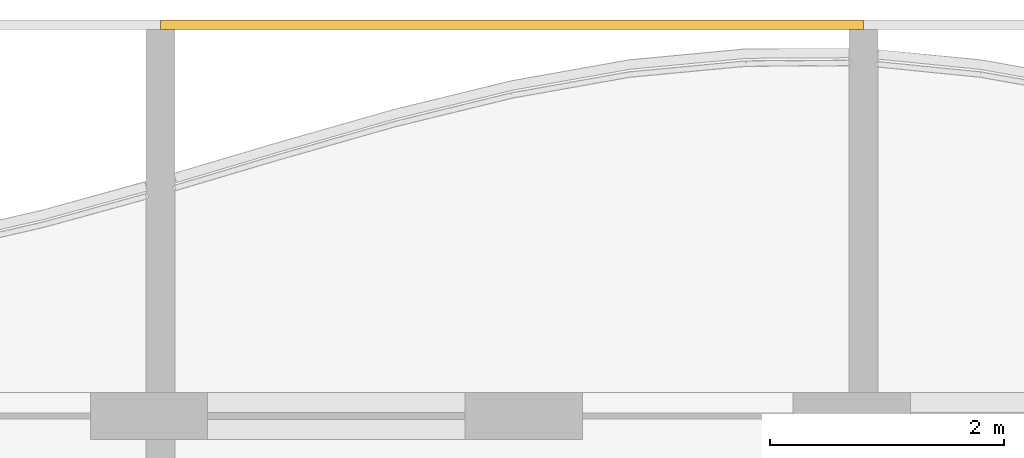
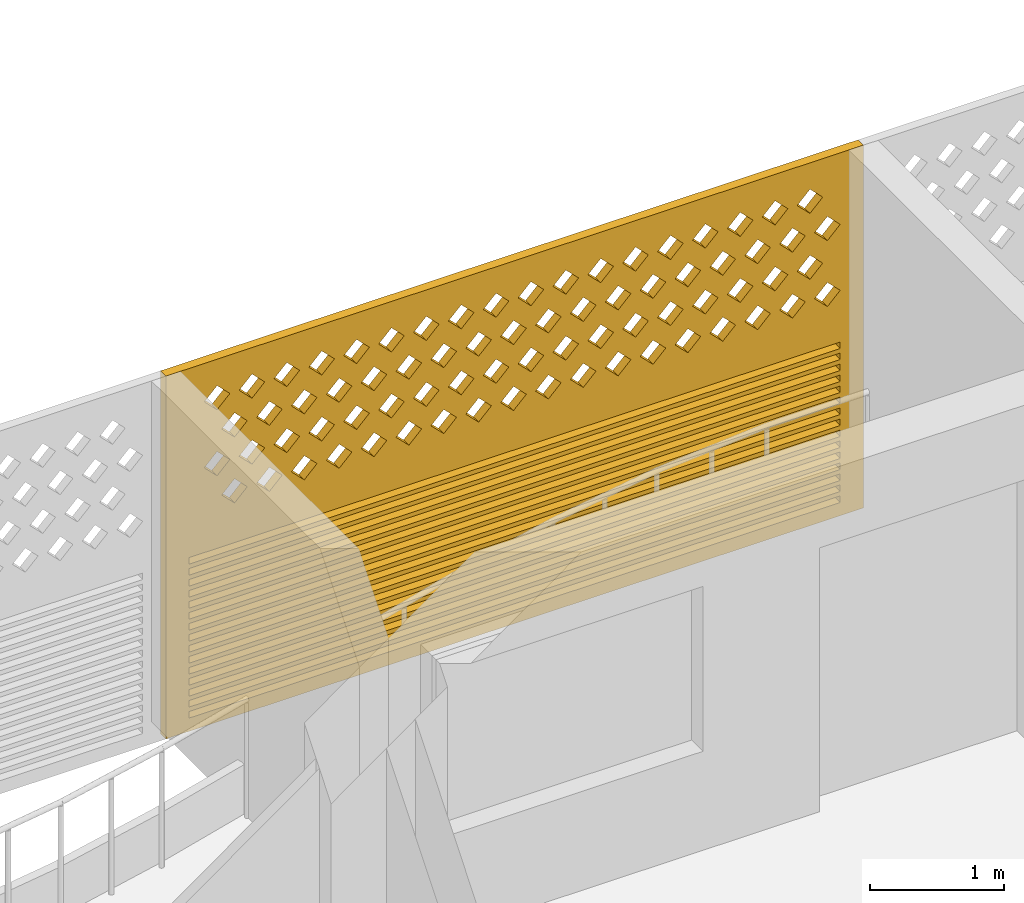
# One storey, part 27 of 29: 1 covering.
"""IFC4 building model written with IfcOpenShell, lengths in metres."""

from ifc_helpers import new_model, si_unit, direction, frame, origin, place, context, subcontext, project, spatial, polyline, outline, extrude, source, transform, mapped, material, material_profile, profile_set, type_object, element, save


model = new_model("IFC4")

# Units and contexts
model_context = context("Model", 3, precision=1e-05, world=origin(), true_north=direction((0.0, 1.0)))
body_context = subcontext(model_context, "Body", "Model", "MODEL_VIEW")
ifc_project = project(units=[si_unit("LENGTHUNIT", "METRE"), si_unit("AREAUNIT", "SQUARE_METRE"), si_unit("VOLUMEUNIT", "CUBIC_METRE"), si_unit("PLANEANGLEUNIT", "RADIAN"), si_unit("MASSUNIT", "GRAM", prefix="KILO")], contexts=[model_context])

# Site, building, storey
site_placement = place(None, origin())
site = spatial("IfcSite", under=ifc_project, at=site_placement, CompositionType="ELEMENT")
building_placement = place(site_placement, origin())
building = spatial("IfcBuilding", under=site, at=building_placement, Name="Poui Terraces", CompositionType="ELEMENT")
storey_placement = place(building_placement, frame((0.0, 0.0, 231.300048828125)))
storey = spatial("IfcBuildingStorey", under=building, at=storey_placement, Name="L64", CompositionType="ELEMENT", Elevation=231.300048828125)

# Covering
ifc_material = material(Name="Terracotta screen", Category="masonry")
ifc_material_profile = material_profile(ifc_material, outline(polyline([(-3.0, -1.64990234375), (3.0, -1.64990234375), (3.0, 1.64990234375), (-3.0, 1.64990234375), (-3.0, -1.64990234375)]), holes=[polyline([(-2.800048828125, 0.39990234375), (-2.68994140625, 0.2900390625), (-2.580078125, 0.39990234375), (-2.68994140625, 0.510009765625), (-2.800048828125, 0.39990234375)]), polyline([(-2.5, 0.39990234375), (-2.389892578125, 0.2900390625), (-2.280029296875, 0.39990234375), (-2.389892578125, 0.510009765625), (-2.5, 0.39990234375)]), polyline([(-2.199951171875, 0.39990234375), (-2.090087890625, 0.2900390625), (-1.97998046875, 0.39990234375), (-2.090087890625, 0.510009765625), (-2.199951171875, 0.39990234375)]), polyline([(-1.89990234375, 0.39990234375), (-1.7900390625, 0.2900390625), (-1.679931640625, 0.39990234375), (-1.7900390625, 0.510009765625), (-1.89990234375, 0.39990234375)]), polyline([(-1.60009765625, 0.39990234375), (-1.489990234375, 0.2900390625), (-1.3798828125, 0.39990234375), (-1.489990234375, 0.510009765625), (-1.60009765625, 0.39990234375)]), polyline([(-1.300048828125, 0.39990234375), (-1.18994140625, 0.2900390625), (-1.080078125, 0.39990234375), (-1.18994140625, 0.510009765625), (-1.300048828125, 0.39990234375)]), polyline([(-1.0, 0.39990234375), (-0.889892578125, 0.2900390625), (-0.780029296875, 0.39990234375), (-0.889892578125, 0.510009765625), (-1.0, 0.39990234375)]), polyline([(-0.699951171875, 0.39990234375), (-0.590087890625, 0.2900390625), (-0.47998046875, 0.39990234375), (-0.590087890625, 0.510009765625), (-0.699951171875, 0.39990234375)]), polyline([(-0.39990234375, 0.39990234375), (-0.2900390625, 0.2900390625), (-0.179931640625, 0.39990234375), (-0.2900390625, 0.510009765625), (-0.39990234375, 0.39990234375)]), polyline([(-0.10009765625, 0.39990234375), (0.010009765625, 0.2900390625), (0.1201171875, 0.39990234375), (0.010009765625, 0.510009765625), (-0.10009765625, 0.39990234375)]), polyline([(0.199951171875, 0.39990234375), (0.31005859375, 0.2900390625), (0.419921875, 0.39990234375), (0.31005859375, 0.510009765625), (0.199951171875, 0.39990234375)]), polyline([(0.5, 0.39990234375), (0.610107421875, 0.2900390625), (0.719970703125, 0.39990234375), (0.610107421875, 0.510009765625), (0.5, 0.39990234375)]), polyline([(0.800048828125, 0.39990234375), (0.909912109375, 0.2900390625), (1.02001953125, 0.39990234375), (0.909912109375, 0.510009765625), (0.800048828125, 0.39990234375)]), polyline([(1.10009765625, 0.39990234375), (1.2099609375, 0.2900390625), (1.320068359375, 0.39990234375), (1.2099609375, 0.510009765625), (1.10009765625, 0.39990234375)]), polyline([(1.39990234375, 0.39990234375), (1.510009765625, 0.2900390625), (1.6201171875, 0.39990234375), (1.510009765625, 0.510009765625), (1.39990234375, 0.39990234375)]), polyline([(1.699951171875, 0.39990234375), (1.81005859375, 0.2900390625), (1.919921875, 0.39990234375), (1.81005859375, 0.510009765625), (1.699951171875, 0.39990234375)]), polyline([(2.0, 0.39990234375), (2.110107421875, 0.2900390625), (2.219970703125, 0.39990234375), (2.110107421875, 0.510009765625), (2.0, 0.39990234375)]), polyline([(2.300048828125, 0.39990234375), (2.409912109375, 0.2900390625), (2.52001953125, 0.39990234375), (2.409912109375, 0.510009765625), (2.300048828125, 0.39990234375)]), polyline([(-2.64990234375, 0.699951171875), (-2.5400390625, 0.590087890625), (-2.429931640625, 0.699951171875), (-2.5400390625, 0.81005859375), (-2.64990234375, 0.699951171875)]), polyline([(-2.35009765625, 0.699951171875), (-2.239990234375, 0.590087890625), (-2.1298828125, 0.699951171875), (-2.239990234375, 0.81005859375), (-2.35009765625, 0.699951171875)]), polyline([(-2.050048828125, 0.699951171875), (-1.93994140625, 0.590087890625), (-1.830078125, 0.699951171875), (-1.93994140625, 0.81005859375), (-2.050048828125, 0.699951171875)]), polyline([(-1.75, 0.699951171875), (-1.639892578125, 0.590087890625), (-1.530029296875, 0.699951171875), (-1.639892578125, 0.81005859375), (-1.75, 0.699951171875)]), polyline([(-1.449951171875, 0.699951171875), (-1.340087890625, 0.590087890625), (-1.22998046875, 0.699951171875), (-1.340087890625, 0.81005859375), (-1.449951171875, 0.699951171875)]), polyline([(-1.14990234375, 0.699951171875), (-1.0400390625, 0.590087890625), (-0.929931640625, 0.699951171875), (-1.0400390625, 0.81005859375), (-1.14990234375, 0.699951171875)]), polyline([(-0.85009765625, 0.699951171875), (-0.739990234375, 0.590087890625), (-0.6298828125, 0.699951171875), (-0.739990234375, 0.81005859375), (-0.85009765625, 0.699951171875)]), polyline([(-0.550048828125, 0.699951171875), (-0.43994140625, 0.590087890625), (-0.330078125, 0.699951171875), (-0.43994140625, 0.81005859375), (-0.550048828125, 0.699951171875)]), polyline([(-0.25, 0.699951171875), (-0.139892578125, 0.590087890625), (-0.030029296875, 0.699951171875), (-0.139892578125, 0.81005859375), (-0.25, 0.699951171875)]), polyline([(0.050048828125, 0.699951171875), (0.159912109375, 0.590087890625), (0.27001953125, 0.699951171875), (0.159912109375, 0.81005859375), (0.050048828125, 0.699951171875)]), polyline([(0.35009765625, 0.699951171875), (0.4599609375, 0.590087890625), (0.570068359375, 0.699951171875), (0.4599609375, 0.81005859375), (0.35009765625, 0.699951171875)]), polyline([(0.64990234375, 0.699951171875), (0.760009765625, 0.590087890625), (0.8701171875, 0.699951171875), (0.760009765625, 0.81005859375), (0.64990234375, 0.699951171875)]), polyline([(0.949951171875, 0.699951171875), (1.06005859375, 0.590087890625), (1.169921875, 0.699951171875), (1.06005859375, 0.81005859375), (0.949951171875, 0.699951171875)]), polyline([(1.25, 0.699951171875), (1.360107421875, 0.590087890625), (1.469970703125, 0.699951171875), (1.360107421875, 0.81005859375), (1.25, 0.699951171875)]), polyline([(1.550048828125, 0.699951171875), (1.659912109375, 0.590087890625), (1.77001953125, 0.699951171875), (1.659912109375, 0.81005859375), (1.550048828125, 0.699951171875)]), polyline([(1.85009765625, 0.699951171875), (1.9599609375, 0.590087890625), (2.070068359375, 0.699951171875), (1.9599609375, 0.81005859375), (1.85009765625, 0.699951171875)]), polyline([(2.14990234375, 0.699951171875), (2.260009765625, 0.590087890625), (2.3701171875, 0.699951171875), (2.260009765625, 0.81005859375), (2.14990234375, 0.699951171875)]), polyline([(2.449951171875, 0.699951171875), (2.56005859375, 0.590087890625), (2.669921875, 0.699951171875), (2.56005859375, 0.81005859375), (2.449951171875, 0.699951171875)]), polyline([(-2.800048828125, 1.0), (-2.68994140625, 0.889892578125), (-2.580078125, 1.0), (-2.68994140625, 1.110107421875), (-2.800048828125, 1.0)]), polyline([(-2.5, 1.0), (-2.389892578125, 0.889892578125), (-2.280029296875, 1.0), (-2.389892578125, 1.110107421875), (-2.5, 1.0)]), polyline([(-2.199951171875, 1.0), (-2.090087890625, 0.889892578125), (-1.97998046875, 1.0), (-2.090087890625, 1.110107421875), (-2.199951171875, 1.0)]), polyline([(-1.89990234375, 1.0), (-1.7900390625, 0.889892578125), (-1.679931640625, 1.0), (-1.7900390625, 1.110107421875), (-1.89990234375, 1.0)]), polyline([(-1.60009765625, 1.0), (-1.489990234375, 0.889892578125), (-1.3798828125, 1.0), (-1.489990234375, 1.110107421875), (-1.60009765625, 1.0)]), polyline([(-1.300048828125, 1.0), (-1.18994140625, 0.889892578125), (-1.080078125, 1.0), (-1.18994140625, 1.110107421875), (-1.300048828125, 1.0)]), polyline([(-1.0, 1.0), (-0.889892578125, 0.889892578125), (-0.780029296875, 1.0), (-0.889892578125, 1.110107421875), (-1.0, 1.0)]), polyline([(-0.699951171875, 1.0), (-0.590087890625, 0.889892578125), (-0.47998046875, 1.0), (-0.590087890625, 1.110107421875), (-0.699951171875, 1.0)]), polyline([(-0.39990234375, 1.0), (-0.2900390625, 0.889892578125), (-0.179931640625, 1.0), (-0.2900390625, 1.110107421875), (-0.39990234375, 1.0)]), polyline([(-0.10009765625, 1.0), (0.010009765625, 0.889892578125), (0.1201171875, 1.0), (0.010009765625, 1.110107421875), (-0.10009765625, 1.0)]), polyline([(0.199951171875, 1.0), (0.31005859375, 0.889892578125), (0.419921875, 1.0), (0.31005859375, 1.110107421875), (0.199951171875, 1.0)]), polyline([(0.5, 1.0), (0.610107421875, 0.889892578125), (0.719970703125, 1.0), (0.610107421875, 1.110107421875), (0.5, 1.0)]), polyline([(0.800048828125, 1.0), (0.909912109375, 0.889892578125), (1.02001953125, 1.0), (0.909912109375, 1.110107421875), (0.800048828125, 1.0)]), polyline([(1.10009765625, 1.0), (1.2099609375, 0.889892578125), (1.320068359375, 1.0), (1.2099609375, 1.110107421875), (1.10009765625, 1.0)]), polyline([(1.39990234375, 1.0), (1.510009765625, 0.889892578125), (1.6201171875, 1.0), (1.510009765625, 1.110107421875), (1.39990234375, 1.0)]), polyline([(1.699951171875, 1.0), (1.81005859375, 0.889892578125), (1.919921875, 1.0), (1.81005859375, 1.110107421875), (1.699951171875, 1.0)]), polyline([(2.0, 1.0), (2.110107421875, 0.889892578125), (2.219970703125, 1.0), (2.110107421875, 1.110107421875), (2.0, 1.0)]), polyline([(2.300048828125, 1.0), (2.409912109375, 0.889892578125), (2.52001953125, 1.0), (2.409912109375, 1.110107421875), (2.300048828125, 1.0)]), polyline([(-2.64990234375, 1.300048828125), (-2.5400390625, 1.18994140625), (-2.429931640625, 1.300048828125), (-2.5400390625, 1.409912109375), (-2.64990234375, 1.300048828125)]), polyline([(-2.35009765625, 1.300048828125), (-2.239990234375, 1.18994140625), (-2.1298828125, 1.300048828125), (-2.239990234375, 1.409912109375), (-2.35009765625, 1.300048828125)]), polyline([(-2.050048828125, 1.300048828125), (-1.93994140625, 1.18994140625), (-1.830078125, 1.300048828125), (-1.93994140625, 1.409912109375), (-2.050048828125, 1.300048828125)]), polyline([(-1.75, 1.300048828125), (-1.639892578125, 1.18994140625), (-1.530029296875, 1.300048828125), (-1.639892578125, 1.409912109375), (-1.75, 1.300048828125)]), polyline([(-1.449951171875, 1.300048828125), (-1.340087890625, 1.18994140625), (-1.22998046875, 1.300048828125), (-1.340087890625, 1.409912109375), (-1.449951171875, 1.300048828125)]), polyline([(-1.14990234375, 1.300048828125), (-1.0400390625, 1.18994140625), (-0.929931640625, 1.300048828125), (-1.0400390625, 1.409912109375), (-1.14990234375, 1.300048828125)]), polyline([(-0.85009765625, 1.300048828125), (-0.739990234375, 1.18994140625), (-0.6298828125, 1.300048828125), (-0.739990234375, 1.409912109375), (-0.85009765625, 1.300048828125)]), polyline([(-0.550048828125, 1.300048828125), (-0.43994140625, 1.18994140625), (-0.330078125, 1.300048828125), (-0.43994140625, 1.409912109375), (-0.550048828125, 1.300048828125)]), polyline([(-0.25, 1.300048828125), (-0.139892578125, 1.18994140625), (-0.030029296875, 1.300048828125), (-0.139892578125, 1.409912109375), (-0.25, 1.300048828125)]), polyline([(0.050048828125, 1.300048828125), (0.159912109375, 1.18994140625), (0.27001953125, 1.300048828125), (0.159912109375, 1.409912109375), (0.050048828125, 1.300048828125)]), polyline([(0.35009765625, 1.300048828125), (0.4599609375, 1.18994140625), (0.570068359375, 1.300048828125), (0.4599609375, 1.409912109375), (0.35009765625, 1.300048828125)]), polyline([(0.64990234375, 1.300048828125), (0.760009765625, 1.18994140625), (0.8701171875, 1.300048828125), (0.760009765625, 1.409912109375), (0.64990234375, 1.300048828125)]), polyline([(0.949951171875, 1.300048828125), (1.06005859375, 1.18994140625), (1.169921875, 1.300048828125), (1.06005859375, 1.409912109375), (0.949951171875, 1.300048828125)]), polyline([(1.25, 1.300048828125), (1.360107421875, 1.18994140625), (1.469970703125, 1.300048828125), (1.360107421875, 1.409912109375), (1.25, 1.300048828125)]), polyline([(1.550048828125, 1.300048828125), (1.659912109375, 1.18994140625), (1.77001953125, 1.300048828125), (1.659912109375, 1.409912109375), (1.550048828125, 1.300048828125)]), polyline([(1.85009765625, 1.300048828125), (1.9599609375, 1.18994140625), (2.070068359375, 1.300048828125), (1.9599609375, 1.409912109375), (1.85009765625, 1.300048828125)]), polyline([(2.14990234375, 1.300048828125), (2.260009765625, 1.18994140625), (2.3701171875, 1.300048828125), (2.260009765625, 1.409912109375), (2.14990234375, 1.300048828125)]), polyline([(2.449951171875, 1.300048828125), (2.56005859375, 1.18994140625), (2.669921875, 1.300048828125), (2.56005859375, 1.409912109375), (2.449951171875, 1.300048828125)]), polyline([(-2.800048828125, -1.530029296875), (2.800048828125, -1.530029296875), (2.800048828125, -1.469970703125), (-2.800048828125, -1.469970703125), (-2.800048828125, -1.530029296875)]), polyline([(-2.800048828125, -1.429931640625), (2.800048828125, -1.429931640625), (2.800048828125, -1.3701171875), (-2.800048828125, -1.3701171875), (-2.800048828125, -1.429931640625)]), polyline([(-2.800048828125, -1.330078125), (2.800048828125, -1.330078125), (2.800048828125, -1.27001953125), (-2.800048828125, -1.27001953125), (-2.800048828125, -1.330078125)]), polyline([(-2.800048828125, -1.22998046875), (2.800048828125, -1.22998046875), (2.800048828125, -1.169921875), (-2.800048828125, -1.169921875), (-2.800048828125, -1.22998046875)]), polyline([(-2.800048828125, -1.1298828125), (2.800048828125, -1.1298828125), (2.800048828125, -1.070068359375), (-2.800048828125, -1.070068359375), (-2.800048828125, -1.1298828125)]), polyline([(-2.800048828125, -1.030029296875), (2.800048828125, -1.030029296875), (2.800048828125, -0.969970703125), (-2.800048828125, -0.969970703125), (-2.800048828125, -1.030029296875)]), polyline([(-2.800048828125, -0.929931640625), (2.800048828125, -0.929931640625), (2.800048828125, -0.8701171875), (-2.800048828125, -0.8701171875), (-2.800048828125, -0.929931640625)]), polyline([(-2.800048828125, -0.830078125), (2.800048828125, -0.830078125), (2.800048828125, -0.77001953125), (-2.800048828125, -0.77001953125), (-2.800048828125, -0.830078125)]), polyline([(-2.800048828125, -0.72998046875), (2.800048828125, -0.72998046875), (2.800048828125, -0.669921875), (-2.800048828125, -0.669921875), (-2.800048828125, -0.72998046875)]), polyline([(-2.800048828125, -0.6298828125), (2.800048828125, -0.6298828125), (2.800048828125, -0.570068359375), (-2.800048828125, -0.570068359375), (-2.800048828125, -0.6298828125)]), polyline([(-2.800048828125, -0.530029296875), (2.800048828125, -0.530029296875), (2.800048828125, -0.469970703125), (-2.800048828125, -0.469970703125), (-2.800048828125, -0.530029296875)]), polyline([(-2.800048828125, -0.429931640625), (2.800048828125, -0.429931640625), (2.800048828125, -0.3701171875), (-2.800048828125, -0.3701171875), (-2.800048828125, -0.429931640625)]), polyline([(-2.800048828125, -0.330078125), (2.800048828125, -0.330078125), (2.800048828125, -0.27001953125), (-2.800048828125, -0.27001953125), (-2.800048828125, -0.330078125)]), polyline([(-2.800048828125, -0.22998046875), (2.800048828125, -0.22998046875), (2.800048828125, -0.169921875), (-2.800048828125, -0.169921875), (-2.800048828125, -0.22998046875)]), polyline([(-2.800048828125, -0.1298828125), (2.800048828125, -0.1298828125), (2.800048828125, -0.070068359375), (-2.800048828125, -0.070068359375), (-2.800048828125, -0.1298828125)])]), Name="TERRACOTTA SCREEN AND JALOUSIE LOUVRE 6000X3300")
ifc_profile_set = profile_set([ifc_material_profile], Name="Terracotta screen")
covering_type = type_object("IfcCoveringType", Name="TERRACOTTA SCREEN AND JALOUSIE LOUVRE 6000X3300", PredefinedType="CLADDING", material=ifc_profile_set)
shared_shape = source(origin(), body_context, "Body", "SweptSolid", [
    extrude(outline(polyline([(-3.0, -1.64990234375), (3.0, -1.64990234375), (3.0, 1.64990234375), (-3.0, 1.64990234375), (-3.0, -1.64990234375)]), holes=[polyline([(-2.800048828125, 0.39990234375), (-2.68994140625, 0.2900390625), (-2.580078125, 0.39990234375), (-2.68994140625, 0.510009765625), (-2.800048828125, 0.39990234375)]), polyline([(-2.5, 0.39990234375), (-2.389892578125, 0.2900390625), (-2.280029296875, 0.39990234375), (-2.389892578125, 0.510009765625), (-2.5, 0.39990234375)]), polyline([(-2.199951171875, 0.39990234375), (-2.090087890625, 0.2900390625), (-1.97998046875, 0.39990234375), (-2.090087890625, 0.510009765625), (-2.199951171875, 0.39990234375)]), polyline([(-1.89990234375, 0.39990234375), (-1.7900390625, 0.2900390625), (-1.679931640625, 0.39990234375), (-1.7900390625, 0.510009765625), (-1.89990234375, 0.39990234375)]), polyline([(-1.60009765625, 0.39990234375), (-1.489990234375, 0.2900390625), (-1.3798828125, 0.39990234375), (-1.489990234375, 0.510009765625), (-1.60009765625, 0.39990234375)]), polyline([(-1.300048828125, 0.39990234375), (-1.18994140625, 0.2900390625), (-1.080078125, 0.39990234375), (-1.18994140625, 0.510009765625), (-1.300048828125, 0.39990234375)]), polyline([(-1.0, 0.39990234375), (-0.889892578125, 0.2900390625), (-0.780029296875, 0.39990234375), (-0.889892578125, 0.510009765625), (-1.0, 0.39990234375)]), polyline([(-0.699951171875, 0.39990234375), (-0.590087890625, 0.2900390625), (-0.47998046875, 0.39990234375), (-0.590087890625, 0.510009765625), (-0.699951171875, 0.39990234375)]), polyline([(-0.39990234375, 0.39990234375), (-0.2900390625, 0.2900390625), (-0.179931640625, 0.39990234375), (-0.2900390625, 0.510009765625), (-0.39990234375, 0.39990234375)]), polyline([(-0.10009765625, 0.39990234375), (0.010009765625, 0.2900390625), (0.1201171875, 0.39990234375), (0.010009765625, 0.510009765625), (-0.10009765625, 0.39990234375)]), polyline([(0.199951171875, 0.39990234375), (0.31005859375, 0.2900390625), (0.419921875, 0.39990234375), (0.31005859375, 0.510009765625), (0.199951171875, 0.39990234375)]), polyline([(0.5, 0.39990234375), (0.610107421875, 0.2900390625), (0.719970703125, 0.39990234375), (0.610107421875, 0.510009765625), (0.5, 0.39990234375)]), polyline([(0.800048828125, 0.39990234375), (0.909912109375, 0.2900390625), (1.02001953125, 0.39990234375), (0.909912109375, 0.510009765625), (0.800048828125, 0.39990234375)]), polyline([(1.10009765625, 0.39990234375), (1.2099609375, 0.2900390625), (1.320068359375, 0.39990234375), (1.2099609375, 0.510009765625), (1.10009765625, 0.39990234375)]), polyline([(1.39990234375, 0.39990234375), (1.510009765625, 0.2900390625), (1.6201171875, 0.39990234375), (1.510009765625, 0.510009765625), (1.39990234375, 0.39990234375)]), polyline([(1.699951171875, 0.39990234375), (1.81005859375, 0.2900390625), (1.919921875, 0.39990234375), (1.81005859375, 0.510009765625), (1.699951171875, 0.39990234375)]), polyline([(2.0, 0.39990234375), (2.110107421875, 0.2900390625), (2.219970703125, 0.39990234375), (2.110107421875, 0.510009765625), (2.0, 0.39990234375)]), polyline([(2.300048828125, 0.39990234375), (2.409912109375, 0.2900390625), (2.52001953125, 0.39990234375), (2.409912109375, 0.510009765625), (2.300048828125, 0.39990234375)]), polyline([(-2.64990234375, 0.699951171875), (-2.5400390625, 0.590087890625), (-2.429931640625, 0.699951171875), (-2.5400390625, 0.81005859375), (-2.64990234375, 0.699951171875)]), polyline([(-2.35009765625, 0.699951171875), (-2.239990234375, 0.590087890625), (-2.1298828125, 0.699951171875), (-2.239990234375, 0.81005859375), (-2.35009765625, 0.699951171875)]), polyline([(-2.050048828125, 0.699951171875), (-1.93994140625, 0.590087890625), (-1.830078125, 0.699951171875), (-1.93994140625, 0.81005859375), (-2.050048828125, 0.699951171875)]), polyline([(-1.75, 0.699951171875), (-1.639892578125, 0.590087890625), (-1.530029296875, 0.699951171875), (-1.639892578125, 0.81005859375), (-1.75, 0.699951171875)]), polyline([(-1.449951171875, 0.699951171875), (-1.340087890625, 0.590087890625), (-1.22998046875, 0.699951171875), (-1.340087890625, 0.81005859375), (-1.449951171875, 0.699951171875)]), polyline([(-1.14990234375, 0.699951171875), (-1.0400390625, 0.590087890625), (-0.929931640625, 0.699951171875), (-1.0400390625, 0.81005859375), (-1.14990234375, 0.699951171875)]), polyline([(-0.85009765625, 0.699951171875), (-0.739990234375, 0.590087890625), (-0.6298828125, 0.699951171875), (-0.739990234375, 0.81005859375), (-0.85009765625, 0.699951171875)]), polyline([(-0.550048828125, 0.699951171875), (-0.43994140625, 0.590087890625), (-0.330078125, 0.699951171875), (-0.43994140625, 0.81005859375), (-0.550048828125, 0.699951171875)]), polyline([(-0.25, 0.699951171875), (-0.139892578125, 0.590087890625), (-0.030029296875, 0.699951171875), (-0.139892578125, 0.81005859375), (-0.25, 0.699951171875)]), polyline([(0.050048828125, 0.699951171875), (0.159912109375, 0.590087890625), (0.27001953125, 0.699951171875), (0.159912109375, 0.81005859375), (0.050048828125, 0.699951171875)]), polyline([(0.35009765625, 0.699951171875), (0.4599609375, 0.590087890625), (0.570068359375, 0.699951171875), (0.4599609375, 0.81005859375), (0.35009765625, 0.699951171875)]), polyline([(0.64990234375, 0.699951171875), (0.760009765625, 0.590087890625), (0.8701171875, 0.699951171875), (0.760009765625, 0.81005859375), (0.64990234375, 0.699951171875)]), polyline([(0.949951171875, 0.699951171875), (1.06005859375, 0.590087890625), (1.169921875, 0.699951171875), (1.06005859375, 0.81005859375), (0.949951171875, 0.699951171875)]), polyline([(1.25, 0.699951171875), (1.360107421875, 0.590087890625), (1.469970703125, 0.699951171875), (1.360107421875, 0.81005859375), (1.25, 0.699951171875)]), polyline([(1.550048828125, 0.699951171875), (1.659912109375, 0.590087890625), (1.77001953125, 0.699951171875), (1.659912109375, 0.81005859375), (1.550048828125, 0.699951171875)]), polyline([(1.85009765625, 0.699951171875), (1.9599609375, 0.590087890625), (2.070068359375, 0.699951171875), (1.9599609375, 0.81005859375), (1.85009765625, 0.699951171875)]), polyline([(2.14990234375, 0.699951171875), (2.260009765625, 0.590087890625), (2.3701171875, 0.699951171875), (2.260009765625, 0.81005859375), (2.14990234375, 0.699951171875)]), polyline([(2.449951171875, 0.699951171875), (2.56005859375, 0.590087890625), (2.669921875, 0.699951171875), (2.56005859375, 0.81005859375), (2.449951171875, 0.699951171875)]), polyline([(-2.800048828125, 1.0), (-2.68994140625, 0.889892578125), (-2.580078125, 1.0), (-2.68994140625, 1.110107421875), (-2.800048828125, 1.0)]), polyline([(-2.5, 1.0), (-2.389892578125, 0.889892578125), (-2.280029296875, 1.0), (-2.389892578125, 1.110107421875), (-2.5, 1.0)]), polyline([(-2.199951171875, 1.0), (-2.090087890625, 0.889892578125), (-1.97998046875, 1.0), (-2.090087890625, 1.110107421875), (-2.199951171875, 1.0)]), polyline([(-1.89990234375, 1.0), (-1.7900390625, 0.889892578125), (-1.679931640625, 1.0), (-1.7900390625, 1.110107421875), (-1.89990234375, 1.0)]), polyline([(-1.60009765625, 1.0), (-1.489990234375, 0.889892578125), (-1.3798828125, 1.0), (-1.489990234375, 1.110107421875), (-1.60009765625, 1.0)]), polyline([(-1.300048828125, 1.0), (-1.18994140625, 0.889892578125), (-1.080078125, 1.0), (-1.18994140625, 1.110107421875), (-1.300048828125, 1.0)]), polyline([(-1.0, 1.0), (-0.889892578125, 0.889892578125), (-0.780029296875, 1.0), (-0.889892578125, 1.110107421875), (-1.0, 1.0)]), polyline([(-0.699951171875, 1.0), (-0.590087890625, 0.889892578125), (-0.47998046875, 1.0), (-0.590087890625, 1.110107421875), (-0.699951171875, 1.0)]), polyline([(-0.39990234375, 1.0), (-0.2900390625, 0.889892578125), (-0.179931640625, 1.0), (-0.2900390625, 1.110107421875), (-0.39990234375, 1.0)]), polyline([(-0.10009765625, 1.0), (0.010009765625, 0.889892578125), (0.1201171875, 1.0), (0.010009765625, 1.110107421875), (-0.10009765625, 1.0)]), polyline([(0.199951171875, 1.0), (0.31005859375, 0.889892578125), (0.419921875, 1.0), (0.31005859375, 1.110107421875), (0.199951171875, 1.0)]), polyline([(0.5, 1.0), (0.610107421875, 0.889892578125), (0.719970703125, 1.0), (0.610107421875, 1.110107421875), (0.5, 1.0)]), polyline([(0.800048828125, 1.0), (0.909912109375, 0.889892578125), (1.02001953125, 1.0), (0.909912109375, 1.110107421875), (0.800048828125, 1.0)]), polyline([(1.10009765625, 1.0), (1.2099609375, 0.889892578125), (1.320068359375, 1.0), (1.2099609375, 1.110107421875), (1.10009765625, 1.0)]), polyline([(1.39990234375, 1.0), (1.510009765625, 0.889892578125), (1.6201171875, 1.0), (1.510009765625, 1.110107421875), (1.39990234375, 1.0)]), polyline([(1.699951171875, 1.0), (1.81005859375, 0.889892578125), (1.919921875, 1.0), (1.81005859375, 1.110107421875), (1.699951171875, 1.0)]), polyline([(2.0, 1.0), (2.110107421875, 0.889892578125), (2.219970703125, 1.0), (2.110107421875, 1.110107421875), (2.0, 1.0)]), polyline([(2.300048828125, 1.0), (2.409912109375, 0.889892578125), (2.52001953125, 1.0), (2.409912109375, 1.110107421875), (2.300048828125, 1.0)]), polyline([(-2.64990234375, 1.300048828125), (-2.5400390625, 1.18994140625), (-2.429931640625, 1.300048828125), (-2.5400390625, 1.409912109375), (-2.64990234375, 1.300048828125)]), polyline([(-2.35009765625, 1.300048828125), (-2.239990234375, 1.18994140625), (-2.1298828125, 1.300048828125), (-2.239990234375, 1.409912109375), (-2.35009765625, 1.300048828125)]), polyline([(-2.050048828125, 1.300048828125), (-1.93994140625, 1.18994140625), (-1.830078125, 1.300048828125), (-1.93994140625, 1.409912109375), (-2.050048828125, 1.300048828125)]), polyline([(-1.75, 1.300048828125), (-1.639892578125, 1.18994140625), (-1.530029296875, 1.300048828125), (-1.639892578125, 1.409912109375), (-1.75, 1.300048828125)]), polyline([(-1.449951171875, 1.300048828125), (-1.340087890625, 1.18994140625), (-1.22998046875, 1.300048828125), (-1.340087890625, 1.409912109375), (-1.449951171875, 1.300048828125)]), polyline([(-1.14990234375, 1.300048828125), (-1.0400390625, 1.18994140625), (-0.929931640625, 1.300048828125), (-1.0400390625, 1.409912109375), (-1.14990234375, 1.300048828125)]), polyline([(-0.85009765625, 1.300048828125), (-0.739990234375, 1.18994140625), (-0.6298828125, 1.300048828125), (-0.739990234375, 1.409912109375), (-0.85009765625, 1.300048828125)]), polyline([(-0.550048828125, 1.300048828125), (-0.43994140625, 1.18994140625), (-0.330078125, 1.300048828125), (-0.43994140625, 1.409912109375), (-0.550048828125, 1.300048828125)]), polyline([(-0.25, 1.300048828125), (-0.139892578125, 1.18994140625), (-0.030029296875, 1.300048828125), (-0.139892578125, 1.409912109375), (-0.25, 1.300048828125)]), polyline([(0.050048828125, 1.300048828125), (0.159912109375, 1.18994140625), (0.27001953125, 1.300048828125), (0.159912109375, 1.409912109375), (0.050048828125, 1.300048828125)]), polyline([(0.35009765625, 1.300048828125), (0.4599609375, 1.18994140625), (0.570068359375, 1.300048828125), (0.4599609375, 1.409912109375), (0.35009765625, 1.300048828125)]), polyline([(0.64990234375, 1.300048828125), (0.760009765625, 1.18994140625), (0.8701171875, 1.300048828125), (0.760009765625, 1.409912109375), (0.64990234375, 1.300048828125)]), polyline([(0.949951171875, 1.300048828125), (1.06005859375, 1.18994140625), (1.169921875, 1.300048828125), (1.06005859375, 1.409912109375), (0.949951171875, 1.300048828125)]), polyline([(1.25, 1.300048828125), (1.360107421875, 1.18994140625), (1.469970703125, 1.300048828125), (1.360107421875, 1.409912109375), (1.25, 1.300048828125)]), polyline([(1.550048828125, 1.300048828125), (1.659912109375, 1.18994140625), (1.77001953125, 1.300048828125), (1.659912109375, 1.409912109375), (1.550048828125, 1.300048828125)]), polyline([(1.85009765625, 1.300048828125), (1.9599609375, 1.18994140625), (2.070068359375, 1.300048828125), (1.9599609375, 1.409912109375), (1.85009765625, 1.300048828125)]), polyline([(2.14990234375, 1.300048828125), (2.260009765625, 1.18994140625), (2.3701171875, 1.300048828125), (2.260009765625, 1.409912109375), (2.14990234375, 1.300048828125)]), polyline([(2.449951171875, 1.300048828125), (2.56005859375, 1.18994140625), (2.669921875, 1.300048828125), (2.56005859375, 1.409912109375), (2.449951171875, 1.300048828125)]), polyline([(-2.800048828125, -1.530029296875), (2.800048828125, -1.530029296875), (2.800048828125, -1.469970703125), (-2.800048828125, -1.469970703125), (-2.800048828125, -1.530029296875)]), polyline([(-2.800048828125, -1.429931640625), (2.800048828125, -1.429931640625), (2.800048828125, -1.3701171875), (-2.800048828125, -1.3701171875), (-2.800048828125, -1.429931640625)]), polyline([(-2.800048828125, -1.330078125), (2.800048828125, -1.330078125), (2.800048828125, -1.27001953125), (-2.800048828125, -1.27001953125), (-2.800048828125, -1.330078125)]), polyline([(-2.800048828125, -1.22998046875), (2.800048828125, -1.22998046875), (2.800048828125, -1.169921875), (-2.800048828125, -1.169921875), (-2.800048828125, -1.22998046875)]), polyline([(-2.800048828125, -1.1298828125), (2.800048828125, -1.1298828125), (2.800048828125, -1.070068359375), (-2.800048828125, -1.070068359375), (-2.800048828125, -1.1298828125)]), polyline([(-2.800048828125, -1.030029296875), (2.800048828125, -1.030029296875), (2.800048828125, -0.969970703125), (-2.800048828125, -0.969970703125), (-2.800048828125, -1.030029296875)]), polyline([(-2.800048828125, -0.929931640625), (2.800048828125, -0.929931640625), (2.800048828125, -0.8701171875), (-2.800048828125, -0.8701171875), (-2.800048828125, -0.929931640625)]), polyline([(-2.800048828125, -0.830078125), (2.800048828125, -0.830078125), (2.800048828125, -0.77001953125), (-2.800048828125, -0.77001953125), (-2.800048828125, -0.830078125)]), polyline([(-2.800048828125, -0.72998046875), (2.800048828125, -0.72998046875), (2.800048828125, -0.669921875), (-2.800048828125, -0.669921875), (-2.800048828125, -0.72998046875)]), polyline([(-2.800048828125, -0.6298828125), (2.800048828125, -0.6298828125), (2.800048828125, -0.570068359375), (-2.800048828125, -0.570068359375), (-2.800048828125, -0.6298828125)]), polyline([(-2.800048828125, -0.530029296875), (2.800048828125, -0.530029296875), (2.800048828125, -0.469970703125), (-2.800048828125, -0.469970703125), (-2.800048828125, -0.530029296875)]), polyline([(-2.800048828125, -0.429931640625), (2.800048828125, -0.429931640625), (2.800048828125, -0.3701171875), (-2.800048828125, -0.3701171875), (-2.800048828125, -0.429931640625)]), polyline([(-2.800048828125, -0.330078125), (2.800048828125, -0.330078125), (2.800048828125, -0.27001953125), (-2.800048828125, -0.27001953125), (-2.800048828125, -0.330078125)]), polyline([(-2.800048828125, -0.22998046875), (2.800048828125, -0.22998046875), (2.800048828125, -0.169921875), (-2.800048828125, -0.169921875), (-2.800048828125, -0.22998046875)]), polyline([(-2.800048828125, -0.1298828125), (2.800048828125, -0.1298828125), (2.800048828125, -0.070068359375), (-2.800048828125, -0.070068359375), (-2.800048828125, -0.1298828125)])]), origin(), (0.0, 0.0, 1.0), 0.080078125),
])
covering_placement = place(storey_placement, frame((69.0, 44.5, 1.449951171875), z_axis=(0.0, 1.0, 0.0), x_axis=(-1.0, 0.0, 0.0)))
element("IfcCovering", 1, at=covering_placement, inside=storey, type_object=covering_type, Name="SOLAR SCREEN AND JALOUSIE LOUVRE", PredefinedType="CLADDING", context=body_context, shape_type="MappedRepresentation", body=[
    mapped(shared_shape, transform((0.0, 0.0, 0.0))),
])

save(model, "model.ifc")
